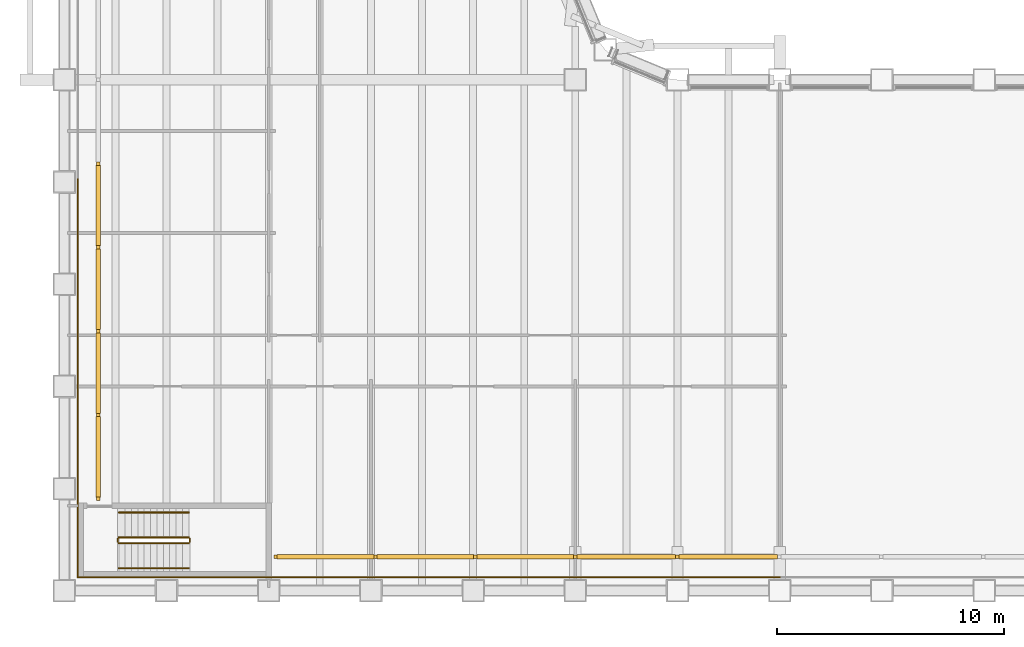
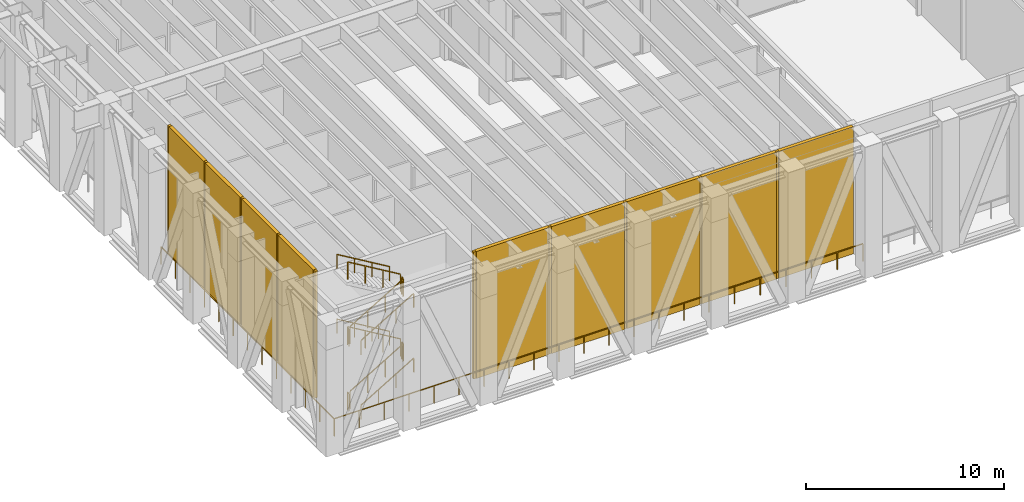
# One storey, part 16 of 21: 23 railings, 19 shading devices.
"""IFC4 building model written with IfcOpenShell, lengths in metres."""

from ifc_helpers import new_model, si_unit, direction, frame, origin, origin_2d, place, context, subcontext, project, spatial, rectangle, extrude, material, layer, layer_set, type_object, element, save


model = new_model("IFC4")

# Units and contexts
model_context = context("Model", 3, precision=1e-05, world=origin(), true_north=direction((0.0, 1.0)))
body_context = subcontext(model_context, "Body", "Model", "MODEL_VIEW")
ifc_project = project(units=[si_unit("LENGTHUNIT", "METRE"), si_unit("AREAUNIT", "SQUARE_METRE"), si_unit("VOLUMEUNIT", "CUBIC_METRE"), si_unit("PLANEANGLEUNIT", "RADIAN"), si_unit("MASSUNIT", "GRAM", prefix="KILO")], contexts=[model_context])

# Site, building, storey
site_placement = place(None, origin())
site = spatial("IfcSite", under=ifc_project, at=site_placement, CompositionType="ELEMENT")
building_placement = place(site_placement, origin())
building = spatial("IfcBuilding", under=site, at=building_placement, Name="Sennacour Bend Tower", CompositionType="ELEMENT")
storey_placement = place(building_placement, frame((0.0, 0.0, 131.0)))
storey = spatial("IfcBuildingStorey", under=building, at=storey_placement, Name="L30", CompositionType="ELEMENT", Elevation=131.0)

# Railings
ifc_material_1 = material(Name="Stainless steel 316", Category="steel")
railing_type_1 = type_object("IfcRailingType", Name="GUARD 1100", PredefinedType="GUARDRAIL", material=ifc_material_1)
railing_1_placement = place(storey_placement, frame((31.499755859375, 0.60009765625, 0.0)))
element("IfcRailing", 1, at=railing_1_placement, inside=storey, type_object=railing_type_1, Name="Guard L30", PredefinedType="GUARDRAIL", context=body_context, shape_type="SweptSolid", body=[
    extrude(rectangle(XDim=0.048095703125, YDim=0.048095703125, at=origin_2d()), frame((0.0, 0.0, 1.076171875), z_axis=(-1.0, 0.0, 0.0), x_axis=(0.0, -1.0, 0.0)), (0.0, 0.0, 1.0), 4.499755859375),
    extrude(rectangle(XDim=0.0419921875, YDim=0.0419921875, at=origin_2d()), origin(), (0.0, 0.0, 1.0), 1.052001953125),
    extrude(rectangle(XDim=0.0419921875, YDim=0.0419921875, at=origin_2d()), frame((-1.5, 0.0, 0.0)), (0.0, 0.0, 1.0), 1.052001953125),
    extrude(rectangle(XDim=0.0419921875, YDim=0.0419921875, at=origin_2d()), frame((-2.999755859375, 0.0, 0.0)), (0.0, 0.0, 1.0), 1.052001953125),
    extrude(rectangle(XDim=0.0419921875, YDim=0.0419921875, at=origin_2d()), frame((-4.499755859375, 0.0, 0.0)), (0.0, 0.0, 1.0), 1.052001953125),
])
railing_2_placement = place(storey_placement, frame((27.0, 0.60009765625, 0.0)))
element("IfcRailing", 2, at=railing_2_placement, inside=storey, type_object=railing_type_1, Name="Guard L30", PredefinedType="GUARDRAIL", context=body_context, shape_type="SweptSolid", body=[
    extrude(rectangle(XDim=0.048095703125, YDim=0.048095703125, at=origin_2d()), frame((0.0, 0.0, 1.076171875), z_axis=(-1.0, 0.0, 0.0), x_axis=(0.0, -1.0, 0.0)), (0.0, 0.0, 1.0), 4.5),
    extrude(rectangle(XDim=0.0419921875, YDim=0.0419921875, at=origin_2d()), origin(), (0.0, 0.0, 1.0), 1.052001953125),
    extrude(rectangle(XDim=0.0419921875, YDim=0.0419921875, at=origin_2d()), frame((-1.5, 0.0, 0.0)), (0.0, 0.0, 1.0), 1.052001953125),
    extrude(rectangle(XDim=0.0419921875, YDim=0.0419921875, at=origin_2d()), frame((-3.0, 0.0, 0.0)), (0.0, 0.0, 1.0), 1.052001953125),
    extrude(rectangle(XDim=0.0419921875, YDim=0.0419921875, at=origin_2d()), frame((-4.5, 0.0, 0.0)), (0.0, 0.0, 1.0), 1.052001953125),
])
railing_3_placement = place(storey_placement, frame((22.5, 0.60009765625, 0.0)))
element("IfcRailing", 3, at=railing_3_placement, inside=storey, type_object=railing_type_1, Name="Guard L30", PredefinedType="GUARDRAIL", context=body_context, shape_type="SweptSolid", body=[
    extrude(rectangle(XDim=0.048095703125, YDim=0.048095703125, at=origin_2d()), frame((0.0, 0.0, 1.076171875), z_axis=(-1.0, 0.0, 0.0), x_axis=(0.0, -1.0, 0.0)), (0.0, 0.0, 1.0), 4.3798828125),
    extrude(rectangle(XDim=0.0419921875, YDim=0.0419921875, at=origin_2d()), origin(), (0.0, 0.0, 1.0), 1.052001953125),
    extrude(rectangle(XDim=0.0419921875, YDim=0.0419921875, at=origin_2d()), frame((-1.4599609375, 0.0, 0.0)), (0.0, 0.0, 1.0), 1.052001953125),
    extrude(rectangle(XDim=0.0419921875, YDim=0.0419921875, at=origin_2d()), frame((-2.919921875, 0.0, 0.0)), (0.0, 0.0, 1.0), 1.052001953125),
    extrude(rectangle(XDim=0.0419921875, YDim=0.0419921875, at=origin_2d()), frame((-4.3798828125, 0.0, 0.0)), (0.0, 0.0, 1.0), 1.052001953125),
])
railing_4_placement = place(storey_placement, frame((18.1201171875, 0.60009765625, 0.0)))
element("IfcRailing", 4, at=railing_4_placement, inside=storey, type_object=railing_type_1, Name="Guard L30", PredefinedType="GUARDRAIL", context=body_context, shape_type="SweptSolid", body=[
    extrude(rectangle(XDim=0.048095703125, YDim=0.048095703125, at=origin_2d()), frame((0.0, 0.0, 1.076171875), z_axis=(-1.0, 0.0, 0.0), x_axis=(0.0, -1.0, 0.0)), (0.0, 0.0, 1.0), 4.380126953125),
    extrude(rectangle(XDim=0.0419921875, YDim=0.0419921875, at=origin_2d()), origin(), (0.0, 0.0, 1.0), 1.052001953125),
    extrude(rectangle(XDim=0.0419921875, YDim=0.0419921875, at=origin_2d()), frame((-1.4599609375, 0.0, 0.0)), (0.0, 0.0, 1.0), 1.052001953125),
    extrude(rectangle(XDim=0.0419921875, YDim=0.0419921875, at=origin_2d()), frame((-2.920166015625, 0.0, 0.0)), (0.0, 0.0, 1.0), 1.052001953125),
    extrude(rectangle(XDim=0.0419921875, YDim=0.0419921875, at=origin_2d()), frame((-4.380126953125, 0.0, 0.0)), (0.0, 0.0, 1.0), 1.052001953125),
])
railing_5_placement = place(storey_placement, frame((13.739990234375, 0.60009765625, 0.0)))
element("IfcRailing", 5, at=railing_5_placement, inside=storey, type_object=railing_type_1, Name="Guard L30", PredefinedType="GUARDRAIL", context=body_context, shape_type="SweptSolid", body=[
    extrude(rectangle(XDim=0.048095703125, YDim=0.048095703125, at=origin_2d()), frame((0.0, 0.0, 1.076171875), z_axis=(-1.0, 0.0, 0.0), x_axis=(0.0, -1.0, 0.0)), (0.0, 0.0, 1.0), 4.3798828125),
    extrude(rectangle(XDim=0.0419921875, YDim=0.0419921875, at=origin_2d()), origin(), (0.0, 0.0, 1.0), 1.052001953125),
    extrude(rectangle(XDim=0.0419921875, YDim=0.0419921875, at=origin_2d()), frame((-1.4599609375, 0.0, 0.0)), (0.0, 0.0, 1.0), 1.052001953125),
    extrude(rectangle(XDim=0.0419921875, YDim=0.0419921875, at=origin_2d()), frame((-2.919921875, 0.0, 0.0)), (0.0, 0.0, 1.0), 1.052001953125),
    extrude(rectangle(XDim=0.0419921875, YDim=0.0419921875, at=origin_2d()), frame((-4.3798828125, 0.0, 0.0)), (0.0, 0.0, 1.0), 1.052001953125),
])
railing_6_placement = place(storey_placement, frame((9.360107421875, 0.60009765625, 0.0)))
element("IfcRailing", 6, at=railing_6_placement, inside=storey, type_object=railing_type_1, Name="Guard L30", PredefinedType="GUARDRAIL", context=body_context, shape_type="SweptSolid", body=[
    extrude(rectangle(XDim=0.048095703125, YDim=0.048095703125, at=origin_2d()), frame((0.0, 0.0, 1.076171875), z_axis=(-1.0, 0.0, 0.0), x_axis=(0.0, -1.0, 0.0)), (0.0, 0.0, 1.0), 4.380126953125),
    extrude(rectangle(XDim=0.0419921875, YDim=0.0419921875, at=origin_2d()), origin(), (0.0, 0.0, 1.0), 1.052001953125),
    extrude(rectangle(XDim=0.0419921875, YDim=0.0419921875, at=origin_2d()), frame((-1.4599609375, 0.0, 0.0)), (0.0, 0.0, 1.0), 1.052001953125),
    extrude(rectangle(XDim=0.0419921875, YDim=0.0419921875, at=origin_2d()), frame((-2.920166015625, 0.0, 0.0)), (0.0, 0.0, 1.0), 1.052001953125),
    extrude(rectangle(XDim=0.0419921875, YDim=0.0419921875, at=origin_2d()), frame((-4.380126953125, 0.0, 0.0)), (0.0, 0.0, 1.0), 1.052001953125),
])
railing_7_placement = place(storey_placement, frame((4.97998046875, 0.60009765625, 0.0)))
element("IfcRailing", 7, at=railing_7_placement, inside=storey, type_object=railing_type_1, Name="Guard L30", PredefinedType="GUARDRAIL", context=body_context, shape_type="SweptSolid", body=[
    extrude(rectangle(XDim=0.048095703125, YDim=0.048095703125, at=origin_2d()), frame((0.0, 0.0, 1.076171875), z_axis=(-1.0, 0.0, 0.0), x_axis=(0.0, -1.0, 0.0)), (0.0, 0.0, 1.0), 4.3798828125),
    extrude(rectangle(XDim=0.0419921875, YDim=0.0419921875, at=origin_2d()), origin(), (0.0, 0.0, 1.0), 1.052001953125),
    extrude(rectangle(XDim=0.0419921875, YDim=0.0419921875, at=origin_2d()), frame((-1.4599609375, 0.0, 0.0)), (0.0, 0.0, 1.0), 1.052001953125),
    extrude(rectangle(XDim=0.0419921875, YDim=0.0419921875, at=origin_2d()), frame((-2.919921875, 0.0, 0.0)), (0.0, 0.0, 1.0), 1.052001953125),
    extrude(rectangle(XDim=0.0419921875, YDim=0.0419921875, at=origin_2d()), frame((-4.3798828125, 0.0, 0.0)), (0.0, 0.0, 1.0), 1.052001953125),
])
railing_8_placement = place(storey_placement, frame((0.60009765625, 0.60009765625, 0.0)))
element("IfcRailing", 8, at=railing_8_placement, inside=storey, type_object=railing_type_1, Name="Guard L30", PredefinedType="GUARDRAIL", context=body_context, shape_type="SweptSolid", body=[
    extrude(rectangle(XDim=0.048095703125, YDim=0.048095703125, at=origin_2d()), frame((0.0, 0.0, 1.076171875), z_axis=(0.0, 1.0, 0.0), x_axis=(-1.0, 0.0, 0.0)), (0.0, 0.0, 1.0), 4.3798828125),
    extrude(rectangle(XDim=0.0419921875, YDim=0.0419921875, at=origin_2d()), origin(), (0.0, 0.0, 1.0), 1.052001953125),
    extrude(rectangle(XDim=0.0419921875, YDim=0.0419921875, at=origin_2d()), frame((0.0, 1.4599609375, 0.0)), (0.0, 0.0, 1.0), 1.052001953125),
    extrude(rectangle(XDim=0.0419921875, YDim=0.0419921875, at=origin_2d()), frame((0.0, 2.919921875, 0.0)), (0.0, 0.0, 1.0), 1.052001953125),
    extrude(rectangle(XDim=0.0419921875, YDim=0.0419921875, at=origin_2d()), frame((0.0, 4.3798828125, 0.0)), (0.0, 0.0, 1.0), 1.052001953125),
])
railing_9_placement = place(storey_placement, frame((0.60009765625, 4.97998046875, 0.0)))
element("IfcRailing", 9, at=railing_9_placement, inside=storey, type_object=railing_type_1, Name="Guard L30", PredefinedType="GUARDRAIL", context=body_context, shape_type="SweptSolid", body=[
    extrude(rectangle(XDim=0.048095703125, YDim=0.048095703125, at=origin_2d()), frame((0.0, 0.0, 1.076171875), z_axis=(0.0, 1.0, 0.0), x_axis=(-1.0, 0.0, 0.0)), (0.0, 0.0, 1.0), 4.380126953125),
    extrude(rectangle(XDim=0.0419921875, YDim=0.0419921875, at=origin_2d()), origin(), (0.0, 0.0, 1.0), 1.052001953125),
    extrude(rectangle(XDim=0.0419921875, YDim=0.0419921875, at=origin_2d()), frame((0.0, 1.4599609375, 0.0)), (0.0, 0.0, 1.0), 1.052001953125),
    extrude(rectangle(XDim=0.0419921875, YDim=0.0419921875, at=origin_2d()), frame((0.0, 2.920166015625, 0.0)), (0.0, 0.0, 1.0), 1.052001953125),
    extrude(rectangle(XDim=0.0419921875, YDim=0.0419921875, at=origin_2d()), frame((0.0, 4.380126953125, 0.0)), (0.0, 0.0, 1.0), 1.052001953125),
])
railing_10_placement = place(storey_placement, frame((0.60009765625, 9.360107421875, 0.0)))
element("IfcRailing", 10, at=railing_10_placement, inside=storey, type_object=railing_type_1, Name="Guard L30", PredefinedType="GUARDRAIL", context=body_context, shape_type="SweptSolid", body=[
    extrude(rectangle(XDim=0.048095703125, YDim=0.048095703125, at=origin_2d()), frame((0.0, 0.0, 1.076171875), z_axis=(0.0, 1.0, 0.0), x_axis=(-1.0, 0.0, 0.0)), (0.0, 0.0, 1.0), 4.3798828125),
    extrude(rectangle(XDim=0.0419921875, YDim=0.0419921875, at=origin_2d()), origin(), (0.0, 0.0, 1.0), 1.052001953125),
    extrude(rectangle(XDim=0.0419921875, YDim=0.0419921875, at=origin_2d()), frame((0.0, 1.4599609375, 0.0)), (0.0, 0.0, 1.0), 1.052001953125),
    extrude(rectangle(XDim=0.0419921875, YDim=0.0419921875, at=origin_2d()), frame((0.0, 2.919921875, 0.0)), (0.0, 0.0, 1.0), 1.052001953125),
    extrude(rectangle(XDim=0.0419921875, YDim=0.0419921875, at=origin_2d()), frame((0.0, 4.3798828125, 0.0)), (0.0, 0.0, 1.0), 1.052001953125),
])
railing_11_placement = place(storey_placement, frame((0.60009765625, 13.739990234375, 0.0)))
element("IfcRailing", 11, at=railing_11_placement, inside=storey, type_object=railing_type_1, Name="Guard L30", PredefinedType="GUARDRAIL", context=body_context, shape_type="SweptSolid", body=[
    extrude(rectangle(XDim=0.048095703125, YDim=0.048095703125, at=origin_2d()), frame((0.0, 0.0, 1.076171875), z_axis=(0.0, 1.0, 0.0), x_axis=(-1.0, 0.0, 0.0)), (0.0, 0.0, 1.0), 4.380126953125),
    extrude(rectangle(XDim=0.0419921875, YDim=0.0419921875, at=origin_2d()), origin(), (0.0, 0.0, 1.0), 1.052001953125),
    extrude(rectangle(XDim=0.0419921875, YDim=0.0419921875, at=origin_2d()), frame((0.0, 1.4599609375, 0.0)), (0.0, 0.0, 1.0), 1.052001953125),
    extrude(rectangle(XDim=0.0419921875, YDim=0.0419921875, at=origin_2d()), frame((0.0, 2.920166015625, 0.0)), (0.0, 0.0, 1.0), 1.052001953125),
    extrude(rectangle(XDim=0.0419921875, YDim=0.0419921875, at=origin_2d()), frame((0.0, 4.380126953125, 0.0)), (0.0, 0.0, 1.0), 1.052001953125),
])

# Shading devices
ifc_material_2 = material(Name="Dark bronze anodised aluminium louvre", Category="aluminium")
ifc_layer = layer(ifc_material_2, 0.199951171875, Name="Dark bronze anodised aluminium louvre", Category="aluminium")
ifc_layer_set = layer_set([ifc_layer], Name="Dark bronze anodised aluminium louvre")
shading_device_type_1 = type_object("IfcShadingDeviceType", Name="LOUVRE BANK 200", PredefinedType="USERDEFINED", material=ifc_layer_set)
for number, where, z_axis, x_axis, name in (
    (12, (29.233642578125, 1.5, 0.0), (0.0, 0.0, 1.0), (-1.0, 0.0, 0.0), "Louvre bank L30"),
    (13, (24.74462890625, 1.5, 0.0), (0.0, 0.0, 1.0), (-1.0, 0.0, 0.0), "Louvre bank L30"),
):
    element("IfcShadingDevice", number, at=place(storey_placement, frame(where, z_axis=z_axis, x_axis=x_axis)), inside=storey, type_object=shading_device_type_1, Name=name, ObjectType="LOUVRE", PredefinedType="USERDEFINED", context=body_context, shape_type="SweptSolid", body=[
        extrude(rectangle(XDim=4.34912109375, YDim=0.199951171875, at=origin_2d()), origin(), (0.0, 0.0, 1.0), 7.85009765625),
    ])
for number, where, z_axis, x_axis, name in (
    (14, (20.300048828125, 1.5, 0.0), (0.0, 0.0, 1.0), (-1.0, 0.0, 0.0), "Louvre bank L30"),
    (15, (15.89990234375, 1.5, 0.0), (0.0, 0.0, 1.0), (-1.0, 0.0, 0.0), "Louvre bank L30"),
    (16, (11.5, 1.5, 0.0), (0.0, 0.0, 1.0), (-1.0, 0.0, 0.0), "Louvre bank L30"),
):
    element("IfcShadingDevice", number, at=place(storey_placement, frame(where, z_axis=z_axis, x_axis=x_axis)), inside=storey, type_object=shading_device_type_1, Name=name, ObjectType="LOUVRE", PredefinedType="USERDEFINED", context=body_context, shape_type="SweptSolid", body=[
        extrude(rectangle(XDim=4.260009765625, YDim=0.199951171875, at=origin_2d()), origin(), (0.0, 0.0, 1.0), 7.85009765625),
    ])
for number, where, z_axis, x_axis, name in (
    (17, (1.5, 5.89501953125, 0.0), (0.0, 0.0, 1.0), (0.0, 1.0, 0.0), "Louvre bank L30"),
    (18, (1.5, 9.5849609375, 0.0), (0.0, 0.0, 1.0), (0.0, 1.0, 0.0), "Louvre bank L30"),
    (19, (1.5, 13.27490234375, 0.0), (0.0, 0.0, 1.0), (0.0, 1.0, 0.0), "Louvre bank L30"),
    (20, (1.5, 16.965087890625, 0.0), (0.0, 0.0, 1.0), (0.0, 1.0, 0.0), "Louvre bank L30"),
):
    element("IfcShadingDevice", number, at=place(storey_placement, frame(where, z_axis=z_axis, x_axis=x_axis)), inside=storey, type_object=shading_device_type_1, Name=name, ObjectType="LOUVRE", PredefinedType="USERDEFINED", context=body_context, shape_type="SweptSolid", body=[
        extrude(rectangle(XDim=3.550048828125, YDim=0.199951171875, at=origin_2d()), origin(), (0.0, 0.0, 1.0), 7.85009765625),
    ])
shading_device_type_2 = type_object("IfcShadingDeviceType", Name="LOUVRE WALL POST 150", PredefinedType="USERDEFINED", material=ifc_material_2)
for number, where, z_axis, x_axis, name in (
    (21, (26.989013671875, 1.5, 0.0), (0.0, 0.0, 1.0), (1.0, 0.0, 0.0), "Louvre wall post L30"),
    (22, (22.5, 1.5, 0.0), (0.0, 0.0, 1.0), (1.0, 0.0, 0.0), "Louvre wall post L30"),
    (23, (18.10009765625, 1.5, 0.0), (0.0, 0.0, 1.0), (1.0, 0.0, 0.0), "Louvre wall post L30"),
    (24, (13.699951171875, 1.5, 0.0), (0.0, 0.0, 1.0), (1.0, 0.0, 0.0), "Louvre wall post L30"),
    (25, (9.300048828125, 1.5, 0.0), (0.0, 0.0, 1.0), (1.0, 0.0, 0.0), "Louvre wall post L30"),
    (26, (1.5, 4.050048828125, 0.0), (0.0, 0.0, 1.0), (1.0, 0.0, 0.0), "Louvre wall post L30"),
    (27, (1.5, 7.739990234375, 0.0), (0.0, 0.0, 1.0), (1.0, 0.0, 0.0), "Louvre wall post L30"),
    (28, (1.5, 11.429931640625, 0.0), (0.0, 0.0, 1.0), (1.0, 0.0, 0.0), "Louvre wall post L30"),
    (29, (1.5, 15.1201171875, 0.0), (0.0, 0.0, 1.0), (1.0, 0.0, 0.0), "Louvre wall post L30"),
    (30, (1.5, 18.81005859375, 0.0), (0.0, 0.0, 1.0), (1.0, 0.0, 0.0), "Louvre wall post L30"),
):
    element("IfcShadingDevice", number, at=place(storey_placement, frame(where, z_axis=z_axis, x_axis=x_axis)), inside=storey, type_object=shading_device_type_2, Name=name, ObjectType="LOUVRE", PredefinedType="USERDEFINED", context=body_context, shape_type="SweptSolid", body=[
        extrude(rectangle(XDim=0.14990234375, YDim=0.14990234375, at=origin_2d()), origin(), (0.0, 0.0, 1.0), 7.85009765625),
    ])

# Railings
ifc_material_3 = material(Name="Stainless steel", Category="steel")
railing_type_2 = type_object("IfcRailingType", Name="RL-GUARD-1100", PredefinedType="GUARDRAIL", material=ifc_material_3)
railing_12_placement = place(storey_placement, frame((2.39990234375, 2.10009765625, 0.166748046875)))
element("IfcRailing", 31, at=railing_12_placement, inside=storey, type_object=railing_type_2, Name="L30 SK1 stair guard 1", PredefinedType="GUARDRAIL", context=body_context, shape_type="SweptSolid", body=[
    extrude(rectangle(XDim=0.048095703125, YDim=0.048095703125, at=origin_2d()), frame((0.0, 0.0, 1.076171875), z_axis=(0.859308565015, 0.0, 0.511457515432), x_axis=(0.0, 1.0, 0.0)), (0.0, 0.0, 1.0), 3.58447265625),
    extrude(rectangle(XDim=0.0419921875, YDim=0.0419921875, at=origin_2d()), origin(), (0.0, 0.0, 1.0), 1.052001953125),
    extrude(rectangle(XDim=0.0419921875, YDim=0.0419921875, at=origin_2d()), frame((1.026611328125, 0.0, 0.611083984375)), (0.0, 0.0, 1.0), 1.052001953125),
    extrude(rectangle(XDim=0.0419921875, YDim=0.0419921875, at=origin_2d()), frame((2.053466796875, 0.0, 1.22216796875)), (0.0, 0.0, 1.0), 1.052001953125),
    extrude(rectangle(XDim=0.0419921875, YDim=0.0419921875, at=origin_2d()), frame((3.080078125, 0.0, 1.833251953125)), (0.0, 0.0, 1.0), 1.052001953125),
])
railing_13_placement = place(storey_placement, frame((5.530029296875, 2.14990234375, 2.0)))
element("IfcRailing", 32, at=railing_13_placement, inside=storey, type_object=railing_type_2, Name="L30 SK1 stair guard 2", PredefinedType="GUARDRAIL", context=body_context, shape_type="SweptSolid", body=[
    extrude(rectangle(XDim=0.048095703125, YDim=0.048095703125, at=origin_2d()), frame((0.0, 0.0, 1.076171875), z_axis=(0.0, 1.0, 0.0), x_axis=(-1.0, 0.0, 0.0)), (0.0, 0.0, 1.0), 0.150146484375),
    extrude(rectangle(XDim=0.0419921875, YDim=0.0419921875, at=origin_2d()), origin(), (0.0, 0.0, 1.0), 1.052001953125),
    extrude(rectangle(XDim=0.0419921875, YDim=0.0419921875, at=origin_2d()), frame((0.0, 0.150146484375, 0.0)), (0.0, 0.0, 1.0), 1.052001953125),
])
railing_14_placement = place(storey_placement, frame((5.47998046875, 2.35009765625, 2.166748046875)))
element("IfcRailing", 33, at=railing_14_placement, inside=storey, type_object=railing_type_2, Name="L30 SK1 stair guard 3", PredefinedType="GUARDRAIL", context=body_context, shape_type="SweptSolid", body=[
    extrude(rectangle(XDim=0.048095703125, YDim=0.048095703125, at=origin_2d()), frame((0.0, 0.0, 1.076171875), z_axis=(-0.859308565015, 0.0, 0.511457515432), x_axis=(0.0, -1.0, 0.0)), (0.0, 0.0, 1.0), 3.58447265625),
    extrude(rectangle(XDim=0.0419921875, YDim=0.0419921875, at=origin_2d()), origin(), (0.0, 0.0, 1.0), 1.052001953125),
    extrude(rectangle(XDim=0.0419921875, YDim=0.0419921875, at=origin_2d()), frame((-1.026611328125, 0.0, 0.611083984375)), (0.0, 0.0, 1.0), 1.052001953125),
    extrude(rectangle(XDim=0.0419921875, YDim=0.0419921875, at=origin_2d()), frame((-2.053466796875, 0.0, 1.22216796875)), (0.0, 0.0, 1.0), 1.052001953125),
    extrude(rectangle(XDim=0.0419921875, YDim=0.0419921875, at=origin_2d()), frame((-3.080078125, 0.0, 1.833251953125)), (0.0, 0.0, 1.0), 1.052001953125),
])
railing_15_placement = place(storey_placement, frame((2.35009765625, 2.14990234375, 4.0)))
element("IfcRailing", 34, at=railing_15_placement, inside=storey, type_object=railing_type_2, Name="L30 SK1 stair guard 4", PredefinedType="GUARDRAIL", context=body_context, shape_type="SweptSolid", body=[
    extrude(rectangle(XDim=0.048095703125, YDim=0.048095703125, at=origin_2d()), frame((0.0, 0.0, 1.076171875), z_axis=(0.0, 1.0, 0.0), x_axis=(-1.0, 0.0, 0.0)), (0.0, 0.0, 1.0), 0.150146484375),
    extrude(rectangle(XDim=0.0419921875, YDim=0.0419921875, at=origin_2d()), origin(), (0.0, 0.0, 1.0), 1.052001953125),
    extrude(rectangle(XDim=0.0419921875, YDim=0.0419921875, at=origin_2d()), frame((0.0, 0.150146484375, 0.0)), (0.0, 0.0, 1.0), 1.052001953125),
])
railing_16_placement = place(storey_placement, frame((2.39990234375, 2.10009765625, 4.166748046875)))
element("IfcRailing", 35, at=railing_16_placement, inside=storey, type_object=railing_type_2, Name="L30 SK1 stair guard 5", PredefinedType="GUARDRAIL", context=body_context, shape_type="SweptSolid", body=[
    extrude(rectangle(XDim=0.048095703125, YDim=0.048095703125, at=origin_2d()), frame((0.0, 0.0, 1.076171875), z_axis=(0.859308565015, 0.0, 0.511457515432), x_axis=(0.0, 1.0, 0.0)), (0.0, 0.0, 1.0), 3.58447265625),
    extrude(rectangle(XDim=0.0419921875, YDim=0.0419921875, at=origin_2d()), origin(), (0.0, 0.0, 1.0), 1.052001953125),
    extrude(rectangle(XDim=0.0419921875, YDim=0.0419921875, at=origin_2d()), frame((1.026611328125, 0.0, 0.611083984375)), (0.0, 0.0, 1.0), 1.052001953125),
    extrude(rectangle(XDim=0.0419921875, YDim=0.0419921875, at=origin_2d()), frame((2.053466796875, 0.0, 1.22216796875)), (0.0, 0.0, 1.0), 1.052001953125),
    extrude(rectangle(XDim=0.0419921875, YDim=0.0419921875, at=origin_2d()), frame((3.080078125, 0.0, 1.833251953125)), (0.0, 0.0, 1.0), 1.052001953125),
])
railing_17_placement = place(storey_placement, frame((5.530029296875, 2.14990234375, 6.0)))
element("IfcRailing", 36, at=railing_17_placement, inside=storey, type_object=railing_type_2, Name="L30 SK1 stair guard 6", PredefinedType="GUARDRAIL", context=body_context, shape_type="SweptSolid", body=[
    extrude(rectangle(XDim=0.048095703125, YDim=0.048095703125, at=origin_2d()), frame((0.0, 0.0, 1.076171875), z_axis=(0.0, 1.0, 0.0), x_axis=(-1.0, 0.0, 0.0)), (0.0, 0.0, 1.0), 0.150146484375),
    extrude(rectangle(XDim=0.0419921875, YDim=0.0419921875, at=origin_2d()), origin(), (0.0, 0.0, 1.0), 1.052001953125),
    extrude(rectangle(XDim=0.0419921875, YDim=0.0419921875, at=origin_2d()), frame((0.0, 0.150146484375, 0.0)), (0.0, 0.0, 1.0), 1.052001953125),
])
railing_18_placement = place(storey_placement, frame((5.47998046875, 2.35009765625, 6.166748046875)))
element("IfcRailing", 37, at=railing_18_placement, inside=storey, type_object=railing_type_2, Name="L30 SK1 stair guard 7", PredefinedType="GUARDRAIL", context=body_context, shape_type="SweptSolid", body=[
    extrude(rectangle(XDim=0.048095703125, YDim=0.048095703125, at=origin_2d()), frame((0.0, 0.0, 1.076171875), z_axis=(-0.859308565015, 0.0, 0.511457515432), x_axis=(0.0, -1.0, 0.0)), (0.0, 0.0, 1.0), 3.58447265625),
    extrude(rectangle(XDim=0.0419921875, YDim=0.0419921875, at=origin_2d()), origin(), (0.0, 0.0, 1.0), 1.052001953125),
    extrude(rectangle(XDim=0.0419921875, YDim=0.0419921875, at=origin_2d()), frame((-1.026611328125, 0.0, 0.611083984375)), (0.0, 0.0, 1.0), 1.052001953125),
    extrude(rectangle(XDim=0.0419921875, YDim=0.0419921875, at=origin_2d()), frame((-2.053466796875, 0.0, 1.22216796875)), (0.0, 0.0, 1.0), 1.052001953125),
    extrude(rectangle(XDim=0.0419921875, YDim=0.0419921875, at=origin_2d()), frame((-3.080078125, 0.0, 1.833251953125)), (0.0, 0.0, 1.0), 1.052001953125),
])
railing_19_placement = place(storey_placement, frame((2.35009765625, 2.14990234375, 0.0)))
element("IfcRailing", 38, at=railing_19_placement, inside=storey, type_object=railing_type_2, Name="L30 SK1 stair guard 8", PredefinedType="GUARDRAIL", context=body_context, shape_type="SweptSolid", body=[
    extrude(rectangle(XDim=0.048095703125, YDim=0.048095703125, at=origin_2d()), frame((0.0, 0.0, 1.076171875), z_axis=(0.0, 1.0, 0.0), x_axis=(-1.0, 0.0, 0.0)), (0.0, 0.0, 1.0), 0.150146484375),
    extrude(rectangle(XDim=0.0419921875, YDim=0.0419921875, at=origin_2d()), origin(), (0.0, 0.0, 1.0), 1.052001953125),
    extrude(rectangle(XDim=0.0419921875, YDim=0.0419921875, at=origin_2d()), frame((0.0, 0.150146484375, 0.0)), (0.0, 0.0, 1.0), 1.052001953125),
])
railing_type_3 = type_object("IfcRailingType", Name="RL-HANDRAIL-900", PredefinedType="HANDRAIL", material=ifc_material_3)
railing_20_placement = place(storey_placement, frame((2.39990234375, 1.0, 0.166748046875)))
element("IfcRailing", 39, at=railing_20_placement, inside=storey, type_object=railing_type_3, Name="L30 SK1 stair handrail 1", PredefinedType="HANDRAIL", context=body_context, shape_type="SweptSolid", body=[
    extrude(rectangle(XDim=0.048095703125, YDim=0.048095703125, at=origin_2d()), frame((0.0, 0.0, 0.8759765625), z_axis=(0.859308565015, 0.0, 0.511457515432), x_axis=(0.0, 1.0, 0.0)), (0.0, 0.0, 1.0), 3.58447265625),
    extrude(rectangle(XDim=0.0419921875, YDim=0.0419921875, at=origin_2d()), origin(), (0.0, 0.0, 1.0), 0.851806640625),
    extrude(rectangle(XDim=0.0419921875, YDim=0.0419921875, at=origin_2d()), frame((1.026611328125, 0.0, 0.611083984375)), (0.0, 0.0, 1.0), 0.851806640625),
    extrude(rectangle(XDim=0.0419921875, YDim=0.0419921875, at=origin_2d()), frame((2.053466796875, 0.0, 1.22216796875)), (0.0, 0.0, 1.0), 0.851806640625),
    extrude(rectangle(XDim=0.0419921875, YDim=0.0419921875, at=origin_2d()), frame((3.080078125, 0.0, 1.833251953125)), (0.0, 0.0, 1.0), 0.851806640625),
])
railing_21_placement = place(storey_placement, frame((5.47998046875, 3.449951171875, 2.166748046875)))
element("IfcRailing", 40, at=railing_21_placement, inside=storey, type_object=railing_type_3, Name="L30 SK1 stair handrail 2", PredefinedType="HANDRAIL", context=body_context, shape_type="SweptSolid", body=[
    extrude(rectangle(XDim=0.048095703125, YDim=0.048095703125, at=origin_2d()), frame((0.0, 0.0, 0.8759765625), z_axis=(-0.859308565015, 0.0, 0.511457515432), x_axis=(0.0, -1.0, 0.0)), (0.0, 0.0, 1.0), 3.58447265625),
    extrude(rectangle(XDim=0.0419921875, YDim=0.0419921875, at=origin_2d()), origin(), (0.0, 0.0, 1.0), 0.851806640625),
    extrude(rectangle(XDim=0.0419921875, YDim=0.0419921875, at=origin_2d()), frame((-1.026611328125, 0.0, 0.611083984375)), (0.0, 0.0, 1.0), 0.851806640625),
    extrude(rectangle(XDim=0.0419921875, YDim=0.0419921875, at=origin_2d()), frame((-2.053466796875, 0.0, 1.22216796875)), (0.0, 0.0, 1.0), 0.851806640625),
    extrude(rectangle(XDim=0.0419921875, YDim=0.0419921875, at=origin_2d()), frame((-3.080078125, 0.0, 1.833251953125)), (0.0, 0.0, 1.0), 0.851806640625),
])
railing_22_placement = place(storey_placement, frame((2.39990234375, 1.0, 4.166748046875)))
element("IfcRailing", 41, at=railing_22_placement, inside=storey, type_object=railing_type_3, Name="L30 SK1 stair handrail 3", PredefinedType="HANDRAIL", context=body_context, shape_type="SweptSolid", body=[
    extrude(rectangle(XDim=0.048095703125, YDim=0.048095703125, at=origin_2d()), frame((0.0, 0.0, 0.8759765625), z_axis=(0.859308565015, 0.0, 0.511457515432), x_axis=(0.0, 1.0, 0.0)), (0.0, 0.0, 1.0), 3.58447265625),
    extrude(rectangle(XDim=0.0419921875, YDim=0.0419921875, at=origin_2d()), origin(), (0.0, 0.0, 1.0), 0.851806640625),
    extrude(rectangle(XDim=0.0419921875, YDim=0.0419921875, at=origin_2d()), frame((1.026611328125, 0.0, 0.611083984375)), (0.0, 0.0, 1.0), 0.851806640625),
    extrude(rectangle(XDim=0.0419921875, YDim=0.0419921875, at=origin_2d()), frame((2.053466796875, 0.0, 1.22216796875)), (0.0, 0.0, 1.0), 0.851806640625),
    extrude(rectangle(XDim=0.0419921875, YDim=0.0419921875, at=origin_2d()), frame((3.080078125, 0.0, 1.833251953125)), (0.0, 0.0, 1.0), 0.851806640625),
])
railing_23_placement = place(storey_placement, frame((5.47998046875, 3.449951171875, 6.166748046875)))
element("IfcRailing", 42, at=railing_23_placement, inside=storey, type_object=railing_type_3, Name="L30 SK1 stair handrail 4", PredefinedType="HANDRAIL", context=body_context, shape_type="SweptSolid", body=[
    extrude(rectangle(XDim=0.048095703125, YDim=0.048095703125, at=origin_2d()), frame((0.0, 0.0, 0.8759765625), z_axis=(-0.859308565015, 0.0, 0.511457515432), x_axis=(0.0, -1.0, 0.0)), (0.0, 0.0, 1.0), 3.58447265625),
    extrude(rectangle(XDim=0.0419921875, YDim=0.0419921875, at=origin_2d()), origin(), (0.0, 0.0, 1.0), 0.851806640625),
    extrude(rectangle(XDim=0.0419921875, YDim=0.0419921875, at=origin_2d()), frame((-1.026611328125, 0.0, 0.611083984375)), (0.0, 0.0, 1.0), 0.851806640625),
    extrude(rectangle(XDim=0.0419921875, YDim=0.0419921875, at=origin_2d()), frame((-2.053466796875, 0.0, 1.22216796875)), (0.0, 0.0, 1.0), 0.851806640625),
    extrude(rectangle(XDim=0.0419921875, YDim=0.0419921875, at=origin_2d()), frame((-3.080078125, 0.0, 1.833251953125)), (0.0, 0.0, 1.0), 0.851806640625),
])

save(model, "model.ifc")
